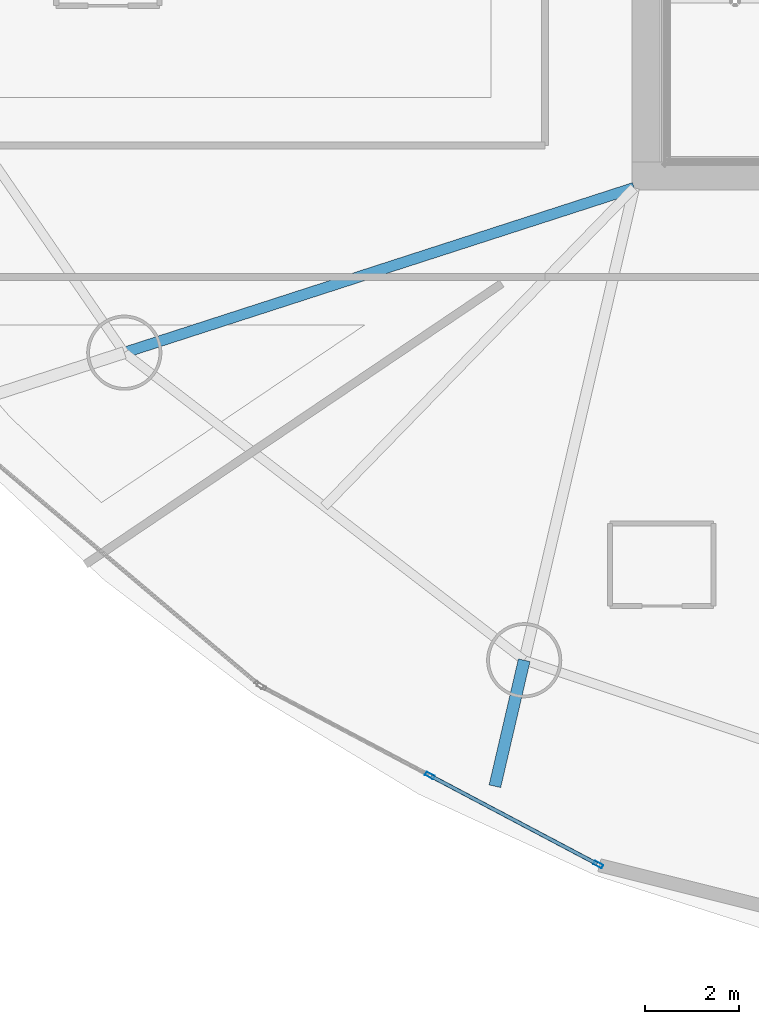
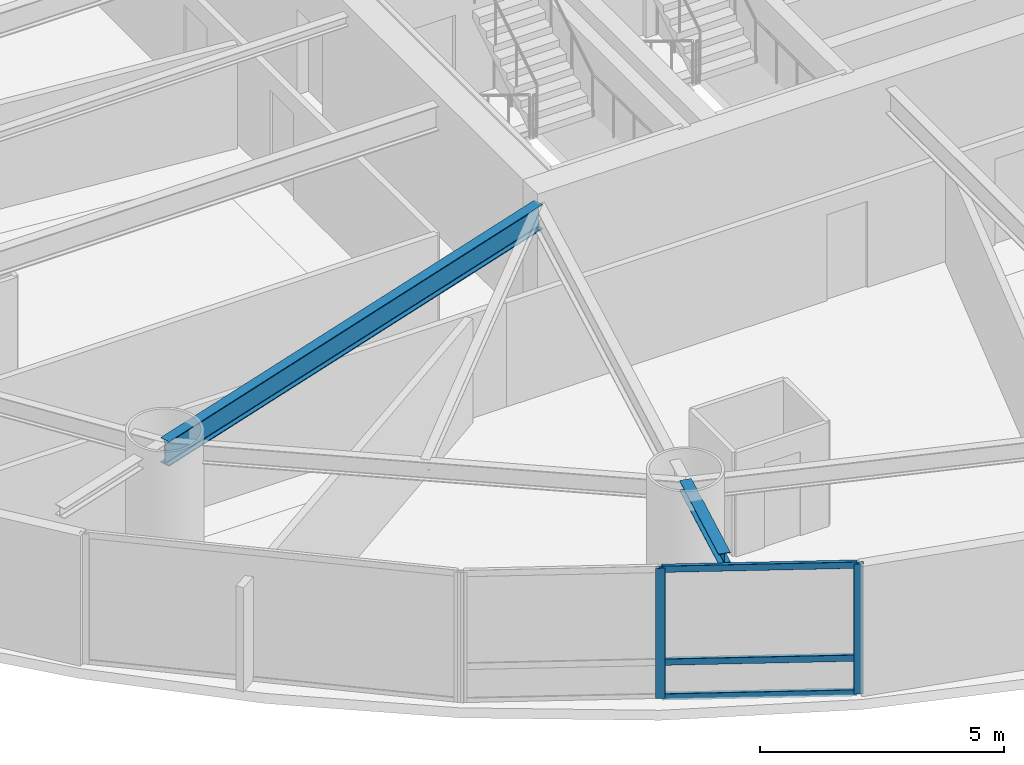
# One storey, part 3 of 19: 5 members, 2 beams, 1 element without a shape of its own.
"""IFC4 building model written with IfcOpenShell, lengths in metres."""

from ifc_helpers import new_model, si_unit, direction, frame, origin, origin_2d, place, context, subcontext, project, spatial, hollow_rectangle, i_section, extrude, material, layer, layer_set, material_profile, profile_set, type_object, element, aggregate, save


model = new_model("IFC4")

# Units and contexts
model_context = context("Model", 3, precision=1e-05, world=origin(), true_north=direction((0.0, 1.0)))
body_context = subcontext(model_context, "Body", "Model", "MODEL_VIEW")
ifc_project = project(units=[si_unit("LENGTHUNIT", "METRE"), si_unit("AREAUNIT", "SQUARE_METRE"), si_unit("VOLUMEUNIT", "CUBIC_METRE"), si_unit("PLANEANGLEUNIT", "RADIAN"), si_unit("MASSUNIT", "GRAM", prefix="KILO")], contexts=[model_context])

# Site, building, storey
site_placement = place(None, origin())
site = spatial("IfcSite", under=ifc_project, at=site_placement, CompositionType="ELEMENT")
building_placement = place(site_placement, origin())
building = spatial("IfcBuilding", under=site, at=building_placement, Name="Bramvorn Convention Spire", CompositionType="ELEMENT")
storey_placement = place(building_placement, frame((0.0, 0.0, 62.39990234375)))
storey = spatial("IfcBuildingStorey", under=building, at=storey_placement, Name="L13", CompositionType="ELEMENT", Elevation=62.39990234375)

# Beams
ifc_material_1 = material(Name="Steel CSA G40.21 Grade 350 (350W)", Category="steel")
ifc_material_profile_1 = material_profile(ifc_material_1, i_section(OverallWidth=0.25390625, OverallDepth=0.2529296875, WebThickness=0.008544921875, FlangeThickness=0.01416015625, FilletRadius=0.011962890625, at=origin_2d()))
ifc_profile_set_1 = profile_set([ifc_material_profile_1], Name="Steel CSA G40.21 Grade 350 (350W) - W250X73")
beam_type_1 = type_object("IfcBeamType", Name="BM-W250X73", PredefinedType="BEAM", material=ifc_profile_set_1)
beam_1_placement = place(storey_placement, frame((24.40966796875, 8.490966796875, 3.12353515625), z_axis=(-0.226587815749, -0.973990740076, 0.0), x_axis=(0.973990740076, -0.226587815749, 0.0)))
element("IfcBeam", 1, at=beam_1_placement, inside=storey, type_object=beam_type_1, Name="L13 slab-edge cantilever tip beam MC12", PredefinedType="BEAM", context=body_context, shape_type="SweptSolid", body=[
    extrude(i_section(OverallWidth=0.25390625, OverallDepth=0.2529296875, WebThickness=0.008544921875, FlangeThickness=0.01416015625, FilletRadius=0.011962890625, at=origin_2d()), origin(), (0.0, 0.0, 1.0), 2.75390625),
])
ifc_material_profile_2 = material_profile(ifc_material_1, i_section(OverallWidth=0.22998046875, OverallDepth=0.616943359375, WebThickness=0.01318359375, FlangeThickness=0.022216796875, FilletRadius=0.02001953125, at=origin_2d()))
ifc_profile_set_2 = profile_set([ifc_material_profile_2], Name="Steel CSA G40.21 Grade 350 (350W) - W610X140")
beam_type_2 = type_object("IfcBeamType", Name="BM-W610X140", PredefinedType="BEAM", material=ifc_profile_set_2)
beam_2_placement = place(storey_placement, frame((26.75, 18.550048828125, 2.941650390625), z_axis=(-0.951488933275, -0.307682969719, 0.0), x_axis=(0.307682969719, -0.951488933275, 0.0)))
element("IfcBeam", 2, at=beam_2_placement, inside=storey, type_object=beam_type_2, Name="L13 radial floor girder MC11", PredefinedType="BEAM", context=body_context, shape_type="SweptSolid", body=[
    extrude(i_section(OverallWidth=0.22998046875, OverallDepth=0.616943359375, WebThickness=0.01318359375, FlangeThickness=0.022216796875, FilletRadius=0.02001953125, at=origin_2d()), origin(), (0.0, 0.0, 1.0), 11.40869140625),
])

# Curtain wall, members
ifc_material_2 = material(Name="Anodised Bronze Unitised Curtain Wall", Category="aluminium")
ifc_layer = layer(ifc_material_2, 0.179931640625)
ifc_layer_set = layer_set([ifc_layer], Name="Anodised Bronze Unitised Curtain Wall - CW-HTL-FRIT")
curtain_wall_type = type_object("IfcCurtainWallType", Name="CW-HTL-FRIT", PredefinedType="USERDEFINED", material=ifc_layer_set)
curtain_wall_placement = place(storey_placement, origin())
curtain_wall = element("IfcCurtainWall", 3, at=curtain_wall_placement, inside=storey, type_object=curtain_wall_type, Name="L13 fritted glass curtain wall 17", ObjectType="UNITISED CURTAIN WALL", PredefinedType="USERDEFINED")
ifc_material_3 = material(Name="Anodised Bronze Aluminium 6063-T6", Category="aluminium")
ifc_material_profile_3 = material_profile(ifc_material_3, hollow_rectangle(XDim=0.080078125, YDim=0.199951171875, WallThickness=0.00390625, InnerFilletRadius=0.0009765625, OuterFilletRadius=0.00390625, at=origin_2d()))
ifc_profile_set_3 = profile_set([ifc_material_profile_3], Name="Anodised Bronze Aluminium 6063-T6 - CWM80X200")
member_type_1 = type_object("IfcMemberType", Name="CW-MUL-180", PredefinedType="MULLION", material=ifc_profile_set_3)
member_1_placement = place(storey_placement, frame((25.986083984375, 4.139892578125, 0.0), z_axis=(0.0, 0.0, 1.0), x_axis=(-0.467559853101, -0.883961415317, 0.0)))
member_1 = element("IfcMember", 4, at=member_1_placement, type_object=member_type_1, Name="CW2 mullion 1", PredefinedType="MULLION", context=body_context, shape_type="SweptSolid", body=[
    extrude(hollow_rectangle(XDim=0.080078125, YDim=0.199951171875, WallThickness=0.00390625, InnerFilletRadius=0.0009765625, OuterFilletRadius=0.00390625, at=origin_2d()), origin(), (0.0, 0.0, 1.0), 3.25),
])
member_2_placement = place(storey_placement, frame((22.4013671875, 6.0361328125, 0.0), z_axis=(0.0, 0.0, 1.0), x_axis=(-0.467559853101, -0.883961415317, 0.0)))
member_2 = element("IfcMember", 5, at=member_2_placement, type_object=member_type_1, Name="CW2 mullion 2", PredefinedType="MULLION", context=body_context, shape_type="SweptSolid", body=[
    extrude(hollow_rectangle(XDim=0.080078125, YDim=0.199951171875, WallThickness=0.00390625, InnerFilletRadius=0.0009765625, OuterFilletRadius=0.00390625, at=origin_2d()), origin(), (0.0, 0.0, 1.0), 3.25),
])
ifc_material_profile_4 = material_profile(ifc_material_3, hollow_rectangle(XDim=0.080078125, YDim=0.159912109375, WallThickness=0.00390625, InnerFilletRadius=0.0009765625, OuterFilletRadius=0.00390625, at=origin_2d()))
ifc_profile_set_4 = profile_set([ifc_material_profile_4], Name="Anodised Bronze Aluminium 6063-T6 - CWT80X160")
member_type_2 = type_object("IfcMemberType", Name="CW-TRN-150", PredefinedType="USERDEFINED", material=ifc_profile_set_4)
member_3_placement = place(storey_placement, frame((25.959716796875, 4.154052734375, 0.030029296875), z_axis=(-0.883976616089, 0.467531113625, 0.0), x_axis=(-0.467531113625, -0.883976616089, 0.0)))
member_3 = element("IfcMember", 6, at=member_3_placement, type_object=member_type_2, Name="CW2 transom 1.1", ObjectType="TRANSOM", PredefinedType="USERDEFINED", context=body_context, shape_type="SweptSolid", body=[
    extrude(hollow_rectangle(XDim=0.080078125, YDim=0.159912109375, WallThickness=0.00390625, InnerFilletRadius=0.0009765625, OuterFilletRadius=0.00390625, at=origin_2d()), origin(), (0.0, 0.0, 1.0), 3.995361328125),
])
member_4_placement = place(storey_placement, frame((25.959716796875, 4.154052734375, 0.900146484375), z_axis=(-0.883976616089, 0.467531113625, 0.0), x_axis=(-0.467531113625, -0.883976616089, 0.0)))
member_4 = element("IfcMember", 7, at=member_4_placement, type_object=member_type_2, Name="CW2 transom 1.2", ObjectType="TRANSOM", PredefinedType="USERDEFINED", context=body_context, shape_type="SweptSolid", body=[
    extrude(hollow_rectangle(XDim=0.080078125, YDim=0.159912109375, WallThickness=0.00390625, InnerFilletRadius=0.0009765625, OuterFilletRadius=0.00390625, at=origin_2d()), origin(), (0.0, 0.0, 1.0), 3.995361328125),
])
member_5_placement = place(storey_placement, frame((25.959716796875, 4.154052734375, 3.22021484375), z_axis=(-0.883976616089, 0.467531113625, 0.0), x_axis=(-0.467531113625, -0.883976616089, 0.0)))
member_5 = element("IfcMember", 8, at=member_5_placement, type_object=member_type_2, Name="CW2 transom 1.3", ObjectType="TRANSOM", PredefinedType="USERDEFINED", context=body_context, shape_type="SweptSolid", body=[
    extrude(hollow_rectangle(XDim=0.080078125, YDim=0.159912109375, WallThickness=0.00390625, InnerFilletRadius=0.0009765625, OuterFilletRadius=0.00390625, at=origin_2d()), origin(), (0.0, 0.0, 1.0), 3.995361328125),
])
aggregate(curtain_wall, [member_1, member_2, member_3, member_4, member_5])

save(model, "model.ifc")
